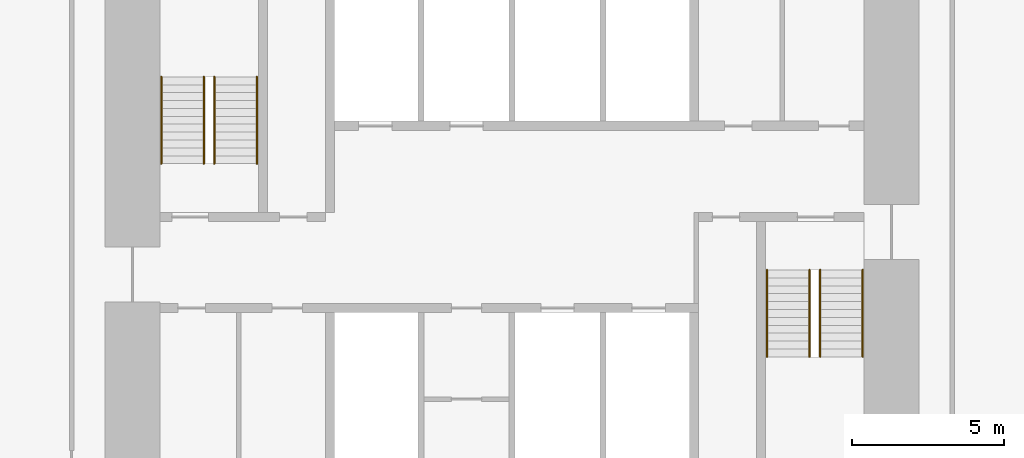
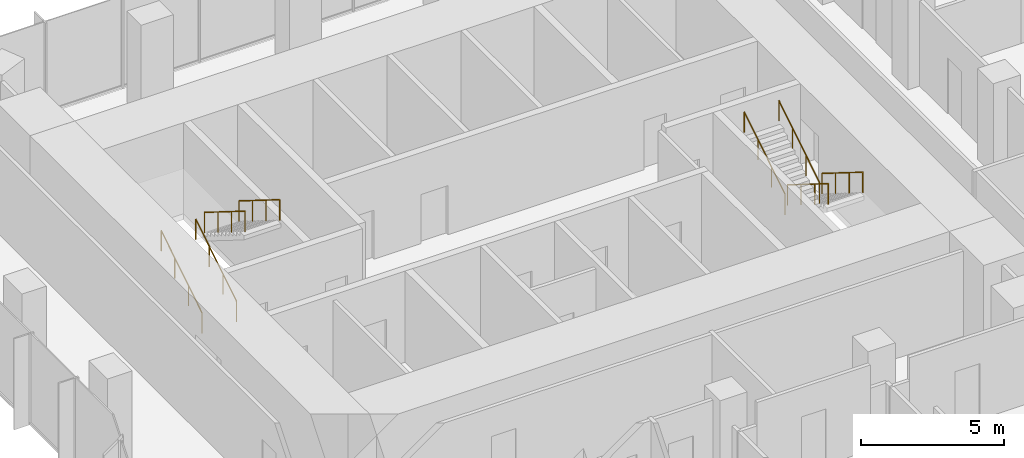
# One storey, part 11 of 11: 8 railings.
"""IFC4 building model written with IfcOpenShell, lengths in metres."""

from ifc_helpers import new_model, si_unit, direction, frame, origin, origin_2d, place, context, subcontext, project, spatial, circle, extrude, material, type_object, element, save


model = new_model("IFC4")

# Units and contexts
model_context = context("Model", 3, precision=1e-05, world=origin(), true_north=direction((0.0, 1.0)))
body_context = subcontext(model_context, "Body", "Model", "MODEL_VIEW")
ifc_project = project(units=[si_unit("LENGTHUNIT", "METRE"), si_unit("AREAUNIT", "SQUARE_METRE"), si_unit("VOLUMEUNIT", "CUBIC_METRE"), si_unit("PLANEANGLEUNIT", "RADIAN"), si_unit("MASSUNIT", "GRAM", prefix="KILO")], contexts=[model_context])

# Site, building, storey
site_placement = place(None, origin())
site = spatial("IfcSite", under=ifc_project, at=site_placement, CompositionType="ELEMENT")
building_placement = place(site_placement, origin())
building = spatial("IfcBuilding", under=site, at=building_placement, Name="Highveld Stack Headquarters", CompositionType="ELEMENT")
storey_placement = place(building_placement, frame((0.0, 0.0, 276.199951171875)))
storey = spatial("IfcBuildingStorey", under=building, at=storey_placement, Name="L68", CompositionType="ELEMENT", Elevation=276.199951171875)

# Railings
ifc_material = material(Name="Stainless steel handrail", Category="steel")
railing_type = type_object("IfcRailingType", Name="STAIR HANDRAIL HR1 900", PredefinedType="HANDRAIL", material=ifc_material)
for number, where, name in (
    (1, (-5.550048828125, 4.75, 0.16259765625), "Handrail S1 L68 flight 1"),
    (2, (-4.14990234375, 4.75, 0.16259765625), "Handrail S1 L68 flight 1"),
):
    element("IfcRailing", number, at=place(storey_placement, frame(where)), inside=storey, type_object=railing_type, Name=name, PredefinedType="HANDRAIL", context=body_context, shape_type="SweptSolid", body=[
        extrude(circle(Radius=0.02392578125, at=origin_2d()), frame((0.0, 0.0, 0.8759765625), z_axis=(0.0, 0.848026770018, 0.529953391661), x_axis=(-1.0, 0.0, 0.0)), (0.0, 0.0, 1.0), 3.37255859375),
        extrude(circle(Radius=0.02099609375, at=origin_2d()), origin(), (0.0, 0.0, 1.0), 0.851806640625),
        extrude(circle(Radius=0.02099609375, at=origin_2d()), frame((0.0, 0.953369140625, 0.595703125)), (0.0, 0.0, 1.0), 0.851806640625),
        extrude(circle(Radius=0.02099609375, at=origin_2d()), frame((0.0, 1.90673828125, 1.191650390625)), (0.0, 0.0, 1.0), 0.851806640625),
        extrude(circle(Radius=0.02099609375, at=origin_2d()), frame((0.0, 2.860107421875, 1.787353515625)), (0.0, 0.0, 1.0), 0.851806640625),
    ])
for number, where, name in (
    (3, (-3.800048828125, 7.610107421875, 2.112548828125), "Handrail S1 L68 flight 2"),
    (4, (-2.39990234375, 7.610107421875, 2.112548828125), "Handrail S1 L68 flight 2"),
):
    element("IfcRailing", number, at=place(storey_placement, frame(where)), inside=storey, type_object=railing_type, Name=name, PredefinedType="HANDRAIL", context=body_context, shape_type="SweptSolid", body=[
        extrude(circle(Radius=0.02392578125, at=origin_2d()), frame((0.0, 0.0, 0.8759765625), z_axis=(0.0, -0.847994237388, 0.530005446535), x_axis=(1.0, 0.0, 0.0)), (0.0, 0.0, 1.0), 3.372802734375),
        extrude(circle(Radius=0.02099609375, at=origin_2d()), origin(), (0.0, 0.0, 1.0), 0.851806640625),
        extrude(circle(Radius=0.02099609375, at=origin_2d()), frame((0.0, -0.953369140625, 0.595947265625)), (0.0, 0.0, 1.0), 0.851806640625),
        extrude(circle(Radius=0.02099609375, at=origin_2d()), frame((0.0, -1.90673828125, 1.191650390625)), (0.0, 0.0, 1.0), 0.851806640625),
        extrude(circle(Radius=0.02099609375, at=origin_2d()), frame((0.0, -2.860107421875, 1.78759765625)), (0.0, 0.0, 1.0), 0.851806640625),
    ])
for number, where, name in (
    (5, (16.14990234375, 1.25, 0.16259765625), "Handrail S2 L68 flight 1"),
    (6, (17.550048828125, 1.25, 0.16259765625), "Handrail S2 L68 flight 1"),
):
    element("IfcRailing", number, at=place(storey_placement, frame(where)), inside=storey, type_object=railing_type, Name=name, PredefinedType="HANDRAIL", context=body_context, shape_type="SweptSolid", body=[
        extrude(circle(Radius=0.02392578125, at=origin_2d()), frame((0.0, 0.0, 0.8759765625), z_axis=(0.0, -0.848026770018, 0.529953391661), x_axis=(1.0, 0.0, 0.0)), (0.0, 0.0, 1.0), 3.37255859375),
        extrude(circle(Radius=0.02099609375, at=origin_2d()), origin(), (0.0, 0.0, 1.0), 0.851806640625),
        extrude(circle(Radius=0.02099609375, at=origin_2d()), frame((0.0, -0.953369140625, 0.595703125)), (0.0, 0.0, 1.0), 0.851806640625),
        extrude(circle(Radius=0.02099609375, at=origin_2d()), frame((0.0, -1.90673828125, 1.191650390625)), (0.0, 0.0, 1.0), 0.851806640625),
        extrude(circle(Radius=0.02099609375, at=origin_2d()), frame((0.0, -2.860107421875, 1.787353515625)), (0.0, 0.0, 1.0), 0.851806640625),
    ])
for number, where, name in (
    (7, (14.39990234375, -1.610107421875, 2.112548828125), "Handrail S2 L68 flight 2"),
    (8, (15.800048828125, -1.610107421875, 2.112548828125), "Handrail S2 L68 flight 2"),
):
    element("IfcRailing", number, at=place(storey_placement, frame(where)), inside=storey, type_object=railing_type, Name=name, PredefinedType="HANDRAIL", context=body_context, shape_type="SweptSolid", body=[
        extrude(circle(Radius=0.02392578125, at=origin_2d()), frame((0.0, 0.0, 0.8759765625), z_axis=(0.0, 0.847994237388, 0.530005446535), x_axis=(-1.0, 0.0, 0.0)), (0.0, 0.0, 1.0), 3.372802734375),
        extrude(circle(Radius=0.02099609375, at=origin_2d()), origin(), (0.0, 0.0, 1.0), 0.851806640625),
        extrude(circle(Radius=0.02099609375, at=origin_2d()), frame((0.0, 0.953369140625, 0.595947265625)), (0.0, 0.0, 1.0), 0.851806640625),
        extrude(circle(Radius=0.02099609375, at=origin_2d()), frame((0.0, 1.90673828125, 1.191650390625)), (0.0, 0.0, 1.0), 0.851806640625),
        extrude(circle(Radius=0.02099609375, at=origin_2d()), frame((0.0, 2.860107421875, 1.78759765625)), (0.0, 0.0, 1.0), 0.851806640625),
    ])

save(model, "model.ifc")
